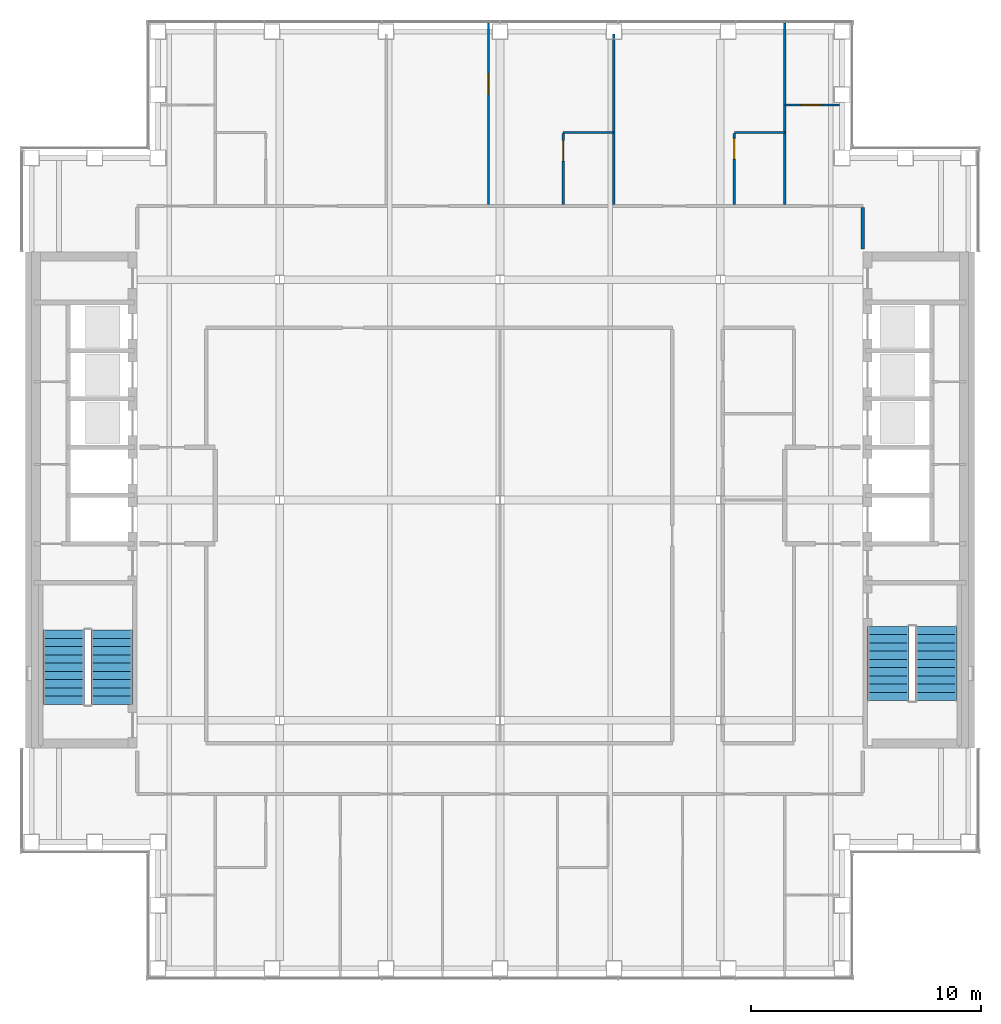
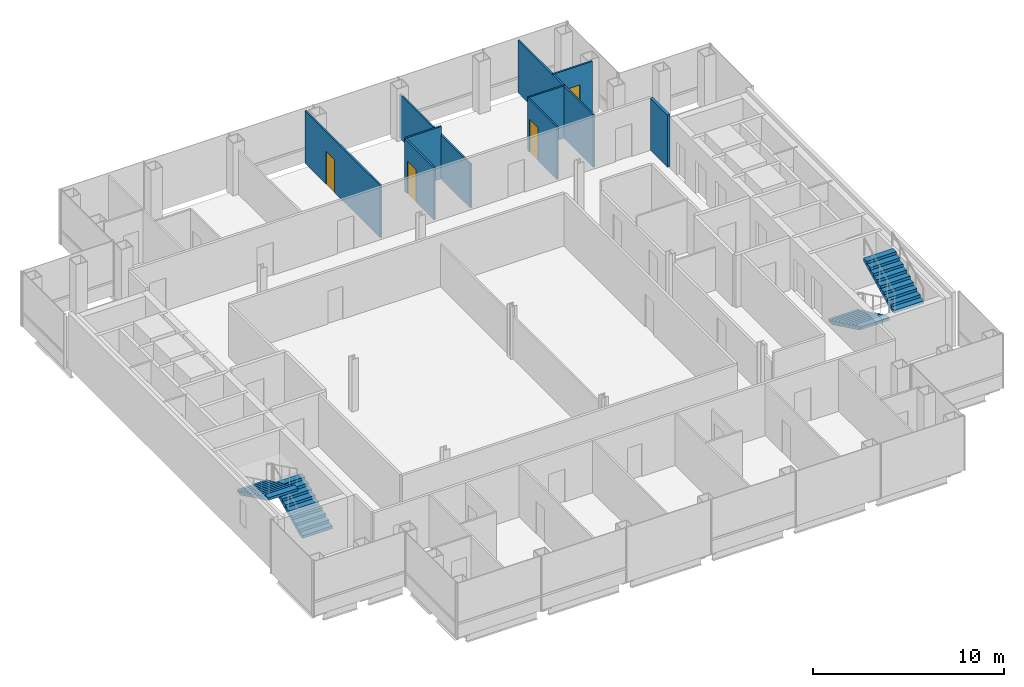
# One storey, part 13 of 15: 9 walls, 4 doors, 4 stair flights, 4 openings, 2 elements without a shape of their own.
"""IFC4 building model written with IfcOpenShell, lengths in metres."""

from ifc_helpers import new_model, si_unit, direction, frame, frame_2d, origin, place, context, subcontext, project, spatial, polyline, rectangle, outline, extrude, material, layer, layer_set, type_object, element, fill, aggregate, save


model = new_model("IFC4")

# Units and contexts
model_context = context("Model", 3, precision=1e-05, world=origin(), true_north=direction((0.0, 1.0)))
body_context = subcontext(model_context, "Body", "Model", "MODEL_VIEW")
ifc_project = project(units=[si_unit("LENGTHUNIT", "METRE"), si_unit("AREAUNIT", "SQUARE_METRE"), si_unit("VOLUMEUNIT", "CUBIC_METRE"), si_unit("PLANEANGLEUNIT", "RADIAN"), si_unit("MASSUNIT", "GRAM", prefix="KILO")], contexts=[model_context])

# Site, building, storey
site_placement = place(None, origin())
site = spatial("IfcSite", under=ifc_project, at=site_placement, CompositionType="ELEMENT")
building_placement = place(site_placement, origin())
building = spatial("IfcBuilding", under=site, at=building_placement, Name="Cobrizo Arcos Hotel Tower", CompositionType="ELEMENT")
storey_placement = place(building_placement, frame((0.0, 0.0, 194.5)))
storey = spatial("IfcBuildingStorey", under=building, at=storey_placement, Name="L50", CompositionType="ELEMENT", Elevation=194.5)

# Walls
ifc_material_1 = material(Name="Gypsum board partition")
ifc_layer_1 = layer(ifc_material_1, 0.14990234375)
ifc_layer_set_1 = layer_set([ifc_layer_1], Name="Corridor wall EI 60 150")
wall_type_1 = type_object("IfcWallType", Name="Corridor wall EI 60 150", PredefinedType="PARTITIONING", material=ifc_layer_set_1)
wall_1_placement = place(storey_placement, frame((15.800048828125, 10.919921875, 0.0), z_axis=(0.0, 0.0, 1.0), x_axis=(0.0, 1.0, 0.0)))
element("IfcWall", 1, at=wall_1_placement, inside=storey, type_object=wall_type_1, Name="Partition 078", PredefinedType="PARTITIONING", context=body_context, shape_type="SweptSolid", body=[
    extrude(rectangle(XDim=1.80517578125, YDim=0.14990234375, at=frame_2d((0.902587890625, 0.0))), origin(), (0.0, 0.0, 1.0), 3.35009765625),
])
ifc_layer_2 = layer(ifc_material_1, 0.10009765625)
ifc_layer_set_2 = layer_set([ifc_layer_2], Name="Partition EI 30 100")
wall_type_2 = type_object("IfcWallType", Name="Partition EI 30 100", PredefinedType="PARTITIONING", material=ifc_layer_set_2)
for number, where, z_axis, x_axis, name in (
    (2, (2.75, 16.0, 0.0), (0.0, 0.0, 1.0), (1.0, 0.0, 0.0), "Partition 036"),
    (3, (10.199951171875, 16.0, 0.0), (0.0, 0.0, 1.0), (1.0, 0.0, 0.0), "Partition 037"),
):
    element("IfcWall", number, at=place(storey_placement, frame(where, z_axis=z_axis, x_axis=x_axis)), inside=storey, type_object=wall_type_2, Name=name, PredefinedType="PARTITIONING", context=body_context, shape_type="SweptSolid", body=[
        extrude(rectangle(XDim=2.199951171875, YDim=0.10009765625, at=frame_2d((1.10009765625, 0.0))), origin(), (0.0, 0.0, 1.0), 3.35009765625),
    ])

# Wall, opening, door
wall_2_placement = place(storey_placement, frame((12.39990234375, 17.199951171875, 0.0), z_axis=(0.0, 0.0, 1.0), x_axis=(1.0, 0.0, 0.0)))
wall_2 = element("IfcWall", 4, at=wall_2_placement, inside=storey, type_object=wall_type_2, Name="Partition 039", PredefinedType="PARTITIONING", context=body_context, shape_type="SweptSolid", body=[
    extrude(rectangle(XDim=2.380126953125, YDim=0.10009765625, at=frame_2d((1.18994140625, 0.0))), origin(), (0.0, 0.0, 1.0), 3.35009765625),
])
opening_1_placement = place(wall_2_placement, frame((0.705078125, 0.0, 0.0)))
opening_1 = element("IfcOpeningElement", 5, at=opening_1_placement, cuts=wall_2, Name="Opening ED-09", PredefinedType="OPENING", context=body_context, shape_type="SweptSolid", body=[
    extrude(rectangle(XDim=0.89990234375, YDim=2.10009765625, at=frame_2d((0.449951171875, 1.050048828125))), frame((0.0, 0.06201171875, 0.0), z_axis=(0.0, -1.0, 0.0), x_axis=(1.0, 0.0, 0.0)), (0.0, 0.0, 1.0), 0.1240234375),
])
ifc_material_2 = material(Name="Timber door leaf", Category="wood")
door_type_1 = type_object("IfcDoorType", Name="En-suite door 900x2100", OperationType="SINGLE_SWING_LEFT", PredefinedType="DOOR", material=ifc_material_2)
door_1_placement = place(opening_1_placement, origin())
door_1 = element("IfcDoor", 6, at=door_1_placement, inside=storey, type_object=door_type_1, Name="Door ED-09", OperationType="SINGLE_SWING_LEFT", OverallHeight=2.10009765625, OverallWidth=0.89990234375, PredefinedType="DOOR", context=body_context, shape_type="SweptSolid", body=[
    extrude(rectangle(XDim=0.89990234375, YDim=2.10009765625, at=frame_2d((0.449951171875, 1.050048828125))), frame((0.0, 0.02490234375, 0.0), z_axis=(0.0, -1.0, 0.0), x_axis=(1.0, 0.0, 0.0)), (0.0, 0.0, 1.0), 0.050048828125),
])
fill(opening_1, door_1)

wall_3_placement = place(storey_placement, frame((-0.5, 12.875, 0.0), z_axis=(0.0, 0.0, 1.0), x_axis=(0.0, 1.0, 0.0)))
wall_3 = element("IfcWall", 7, at=wall_3_placement, inside=storey, type_object=wall_type_2, Name="Partition 054", PredefinedType="PARTITIONING", context=body_context, shape_type="SweptSolid", body=[
    extrude(rectangle(XDim=7.905029296875, YDim=0.10009765625, at=frame_2d((3.95263671875, 0.0))), origin(), (0.0, 0.0, 1.0), 3.35009765625),
])
opening_2_placement = place(wall_3_placement, frame((4.794921875, 0.0, 0.0)))
opening_2 = element("IfcOpeningElement", 8, at=opening_2_placement, cuts=wall_3, Name="Opening RD-09", PredefinedType="OPENING", context=body_context, shape_type="SweptSolid", body=[
    extrude(rectangle(XDim=0.89990234375, YDim=2.10009765625, at=frame_2d((0.449951171875, 1.050048828125))), frame((0.0, 0.06201171875, 0.0), z_axis=(0.0, -1.0, 0.0), x_axis=(1.0, 0.0, 0.0)), (0.0, 0.0, 1.0), 0.1240234375),
])
door_type_2 = type_object("IfcDoorType", Name="Room door FD30 900x2100", OperationType="SINGLE_SWING_LEFT", PredefinedType="DOOR", material=ifc_material_2)
door_2_placement = place(opening_2_placement, origin())
door_2 = element("IfcDoor", 9, at=door_2_placement, inside=storey, type_object=door_type_2, Name="Door RD-09", OperationType="SINGLE_SWING_RIGHT", OverallHeight=2.10009765625, OverallWidth=0.89990234375, PredefinedType="DOOR", context=body_context, shape_type="SweptSolid", body=[
    extrude(rectangle(XDim=0.89990234375, YDim=2.10009765625, at=frame_2d((0.449951171875, 1.050048828125))), frame((0.0, 0.02490234375, 0.0), z_axis=(0.0, -1.0, 0.0), x_axis=(1.0, 0.0, 0.0)), (0.0, 0.0, 1.0), 0.050048828125),
])
fill(opening_2, door_2)

wall_4_placement = place(storey_placement, frame((2.75, 12.875, 0.0), z_axis=(0.0, 0.0, 1.0), x_axis=(0.0, 1.0, 0.0)))
wall_4 = element("IfcWall", 10, at=wall_4_placement, inside=storey, type_object=wall_type_2, Name="Partition 061", PredefinedType="PARTITIONING", context=body_context, shape_type="SweptSolid", body=[
    extrude(rectangle(XDim=3.074951171875, YDim=0.10009765625, at=frame_2d((1.53759765625, 0.0))), origin(), (0.0, 0.0, 1.0), 3.35009765625),
])
opening_3_placement = place(wall_4_placement, frame((1.875, 0.0, 0.0)))
opening_3 = element("IfcOpeningElement", 11, at=opening_3_placement, cuts=wall_4, Name="Opening ED-02", PredefinedType="OPENING", context=body_context, shape_type="SweptSolid", body=[
    extrude(rectangle(XDim=0.89990234375, YDim=2.10009765625, at=frame_2d((0.449951171875, 1.050048828125))), frame((0.0, 0.06201171875, 0.0), z_axis=(0.0, -1.0, 0.0), x_axis=(1.0, 0.0, 0.0)), (0.0, 0.0, 1.0), 0.1240234375),
])
door_3_placement = place(opening_3_placement, origin())
door_3 = element("IfcDoor", 12, at=door_3_placement, inside=storey, type_object=door_type_1, Name="Door ED-02", OperationType="SINGLE_SWING_LEFT", OverallHeight=2.10009765625, OverallWidth=0.89990234375, PredefinedType="DOOR", context=body_context, shape_type="SweptSolid", body=[
    extrude(rectangle(XDim=0.89990234375, YDim=2.10009765625, at=frame_2d((0.449951171875, 1.050048828125))), frame((0.0, 0.02490234375, 0.0), z_axis=(0.0, -1.0, 0.0), x_axis=(1.0, 0.0, 0.0)), (0.0, 0.0, 1.0), 0.050048828125),
])
fill(opening_3, door_3)

# Wall
wall_5_placement = place(storey_placement, frame((4.949951171875, 12.875, 0.0), z_axis=(0.0, 0.0, 1.0), x_axis=(0.0, 1.0, 0.0)))
element("IfcWall", 13, at=wall_5_placement, inside=storey, type_object=wall_type_2, Name="Partition 063", PredefinedType="PARTITIONING", context=body_context, shape_type="SweptSolid", body=[
    extrude(rectangle(XDim=7.405029296875, YDim=0.10009765625, at=frame_2d((3.70263671875, 0.0))), origin(), (0.0, 0.0, 1.0), 2.81689453125),
])

# Wall, opening, door
wall_6_placement = place(storey_placement, frame((10.199951171875, 12.875, 0.0), z_axis=(0.0, 0.0, 1.0), x_axis=(0.0, 1.0, 0.0)))
wall_6 = element("IfcWall", 14, at=wall_6_placement, inside=storey, type_object=wall_type_2, Name="Partition 071", PredefinedType="PARTITIONING", context=body_context, shape_type="SweptSolid", body=[
    extrude(rectangle(XDim=3.074951171875, YDim=0.10009765625, at=frame_2d((1.53759765625, 0.0))), origin(), (0.0, 0.0, 1.0), 3.35009765625),
])
opening_4_placement = place(wall_6_placement, frame((1.970947265625, 0.0, 0.0)))
opening_4 = element("IfcOpeningElement", 15, at=opening_4_placement, cuts=wall_6, Name="Opening ED-03", PredefinedType="OPENING", context=body_context, shape_type="SweptSolid", body=[
    extrude(rectangle(XDim=0.89990234375, YDim=2.10009765625, at=frame_2d((0.449951171875, 1.050048828125))), frame((0.0, 0.06201171875, 0.0), z_axis=(0.0, -1.0, 0.0), x_axis=(1.0, 0.0, 0.0)), (0.0, 0.0, 1.0), 0.1240234375),
])
door_4_placement = place(opening_4_placement, origin())
door_4 = element("IfcDoor", 16, at=door_4_placement, inside=storey, type_object=door_type_1, Name="Door ED-03", OperationType="SINGLE_SWING_RIGHT", OverallHeight=2.10009765625, OverallWidth=0.89990234375, PredefinedType="DOOR", context=body_context, shape_type="SweptSolid", body=[
    extrude(rectangle(XDim=0.89990234375, YDim=2.10009765625, at=frame_2d((0.449951171875, 1.050048828125))), frame((0.0, 0.02490234375, 0.0), z_axis=(0.0, -1.0, 0.0), x_axis=(1.0, 0.0, 0.0)), (0.0, 0.0, 1.0), 0.050048828125),
])
fill(opening_4, door_4)

# Wall
wall_7_placement = place(storey_placement, frame((12.39990234375, 12.875, 0.0), z_axis=(0.0, 0.0, 1.0), x_axis=(0.0, 1.0, 0.0)))
element("IfcWall", 17, at=wall_7_placement, inside=storey, type_object=wall_type_2, Name="Partition 074", PredefinedType="PARTITIONING", context=body_context, shape_type="SweptSolid", body=[
    extrude(rectangle(XDim=7.905029296875, YDim=0.10009765625, at=frame_2d((3.95263671875, 0.0))), origin(), (0.0, 0.0, 1.0), 3.35009765625),
])

# Stair, stair flights
ifc_material_3 = material(Name="Concrete f'c 40 MPa", Category="concrete")
stair_type = type_object("IfcStairType", Name="Exit stair", PredefinedType="HALF_TURN_STAIR", material=ifc_material_3)
stair_1_placement = place(storey_placement, origin())
stair_1 = element("IfcStair", 18, at=stair_1_placement, inside=storey, type_object=stair_type, Name="L50 Exit stair ST-W", PredefinedType="HALF_TURN_STAIR")
stair_flight_type = type_object("IfcStairFlightType", Name="Exit stair flight", PredefinedType="STRAIGHT", material=ifc_material_3)
stair_flight_1_placement = place(storey_placement, frame((-16.89990234375, -8.89990234375, 0.0), z_axis=(0.0, 0.0, 1.0), x_axis=(0.0, 1.0, 0.0)))
stair_flight_1 = element("IfcStairFlight", 19, at=stair_flight_1_placement, type_object=stair_flight_type, Name="ST-W flight 1", NumberOfRisers=10, NumberOfTreads=9, PredefinedType="STRAIGHT", RiserHeight=0.175, TreadLength=0.36, context=body_context, shape_type="SweptSolid", body=[
    extrude(outline(polyline([(0.0, 0.0), (0.0, 0.175048828125), (0.360107421875, 0.175048828125), (0.360107421875, 0.35009765625), (0.719970703125, 0.35009765625), (0.719970703125, 0.52490234375), (1.080078125, 0.52490234375), (1.080078125, 0.699951171875), (1.43994140625, 0.699951171875), (1.43994140625, 0.875), (1.800048828125, 0.875), (1.800048828125, 1.050048828125), (2.159912109375, 1.050048828125), (2.159912109375, 1.22509765625), (2.52001953125, 1.22509765625), (2.52001953125, 1.39990234375), (2.8798828125, 1.39990234375), (2.8798828125, 1.574951171875), (3.239990234375, 1.574951171875), (3.239990234375, 1.75), (3.239990234375, 1.408203125), (0.3427734375, 0.0), (0.0, 0.0)])), frame((0.0, 0.89990234375, 0.0), z_axis=(0.0, -1.0, 0.0), x_axis=(1.0, 0.0, 0.0)), (0.0, 0.0, 1.0), 1.800048828125),
])
stair_flight_2_placement = place(storey_placement, frame((-19.0, -5.659912109375, 1.75), z_axis=(0.0, 0.0, 1.0), x_axis=(0.0, -1.0, 0.0)))
stair_flight_2 = element("IfcStairFlight", 20, at=stair_flight_2_placement, type_object=stair_flight_type, Name="ST-W flight 2", NumberOfRisers=10, NumberOfTreads=9, PredefinedType="STRAIGHT", RiserHeight=0.175, TreadLength=0.36, context=body_context, shape_type="SweptSolid", body=[
    extrude(outline(polyline([(0.0, 0.0), (0.0, 0.175048828125), (0.360107421875, 0.175048828125), (0.360107421875, 0.35009765625), (0.719970703125, 0.35009765625), (0.719970703125, 0.52490234375), (1.080078125, 0.52490234375), (1.080078125, 0.699951171875), (1.43994140625, 0.699951171875), (1.43994140625, 0.875), (1.800048828125, 0.875), (1.800048828125, 1.050048828125), (2.159912109375, 1.050048828125), (2.159912109375, 1.22509765625), (2.52001953125, 1.22509765625), (2.52001953125, 1.39990234375), (2.8798828125, 1.39990234375), (2.8798828125, 1.574951171875), (3.239990234375, 1.574951171875), (3.239990234375, 1.75), (3.239990234375, 1.408203125), (0.3427734375, 0.0), (0.0, 0.0)])), frame((0.0, 0.89990234375, 0.0), z_axis=(0.0, -1.0, 0.0), x_axis=(1.0, 0.0, 0.0)), (0.0, 0.0, 1.0), 1.800048828125),
])
aggregate(stair_1, [stair_flight_1, stair_flight_2])

stair_2_placement = place(storey_placement, origin())
stair_2 = element("IfcStair", 21, at=stair_2_placement, inside=storey, type_object=stair_type, Name="L50 Exit stair ST-E", PredefinedType="HALF_TURN_STAIR")
stair_flight_3_placement = place(storey_placement, frame((16.89990234375, -5.5, 0.0), z_axis=(0.0, 0.0, 1.0), x_axis=(0.0, -1.0, 0.0)))
stair_flight_3 = element("IfcStairFlight", 22, at=stair_flight_3_placement, type_object=stair_flight_type, Name="ST-E flight 1", NumberOfRisers=10, NumberOfTreads=9, PredefinedType="STRAIGHT", RiserHeight=0.175, TreadLength=0.36, context=body_context, shape_type="SweptSolid", body=[
    extrude(outline(polyline([(0.0, 0.0), (0.0, 0.175048828125), (0.360107421875, 0.175048828125), (0.360107421875, 0.35009765625), (0.719970703125, 0.35009765625), (0.719970703125, 0.52490234375), (1.080078125, 0.52490234375), (1.080078125, 0.699951171875), (1.43994140625, 0.699951171875), (1.43994140625, 0.875), (1.800048828125, 0.875), (1.800048828125, 1.050048828125), (2.159912109375, 1.050048828125), (2.159912109375, 1.22509765625), (2.52001953125, 1.22509765625), (2.52001953125, 1.39990234375), (2.8798828125, 1.39990234375), (2.8798828125, 1.574951171875), (3.239990234375, 1.574951171875), (3.239990234375, 1.75), (3.239990234375, 1.408203125), (0.3427734375, 0.0), (0.0, 0.0)])), frame((0.0, 0.89990234375, 0.0), z_axis=(0.0, -1.0, 0.0), x_axis=(1.0, 0.0, 0.0)), (0.0, 0.0, 1.0), 1.800048828125),
])
stair_flight_4_placement = place(storey_placement, frame((19.0, -8.739990234375, 1.75), z_axis=(0.0, 0.0, 1.0), x_axis=(0.0, 1.0, 0.0)))
stair_flight_4 = element("IfcStairFlight", 23, at=stair_flight_4_placement, type_object=stair_flight_type, Name="ST-E flight 2", NumberOfRisers=10, NumberOfTreads=9, PredefinedType="STRAIGHT", RiserHeight=0.175, TreadLength=0.36, context=body_context, shape_type="SweptSolid", body=[
    extrude(outline(polyline([(0.0, 0.0), (0.0, 0.175048828125), (0.360107421875, 0.175048828125), (0.360107421875, 0.35009765625), (0.719970703125, 0.35009765625), (0.719970703125, 0.52490234375), (1.080078125, 0.52490234375), (1.080078125, 0.699951171875), (1.43994140625, 0.699951171875), (1.43994140625, 0.875), (1.800048828125, 0.875), (1.800048828125, 1.050048828125), (2.159912109375, 1.050048828125), (2.159912109375, 1.22509765625), (2.52001953125, 1.22509765625), (2.52001953125, 1.39990234375), (2.8798828125, 1.39990234375), (2.8798828125, 1.574951171875), (3.239990234375, 1.574951171875), (3.239990234375, 1.75), (3.239990234375, 1.408203125), (0.3427734375, 0.0), (0.0, 0.0)])), frame((0.0, 0.89990234375, 0.0), z_axis=(0.0, -1.0, 0.0), x_axis=(1.0, 0.0, 0.0)), (0.0, 0.0, 1.0), 1.800048828125),
])
aggregate(stair_2, [stair_flight_3, stair_flight_4])

save(model, "model.ifc")
